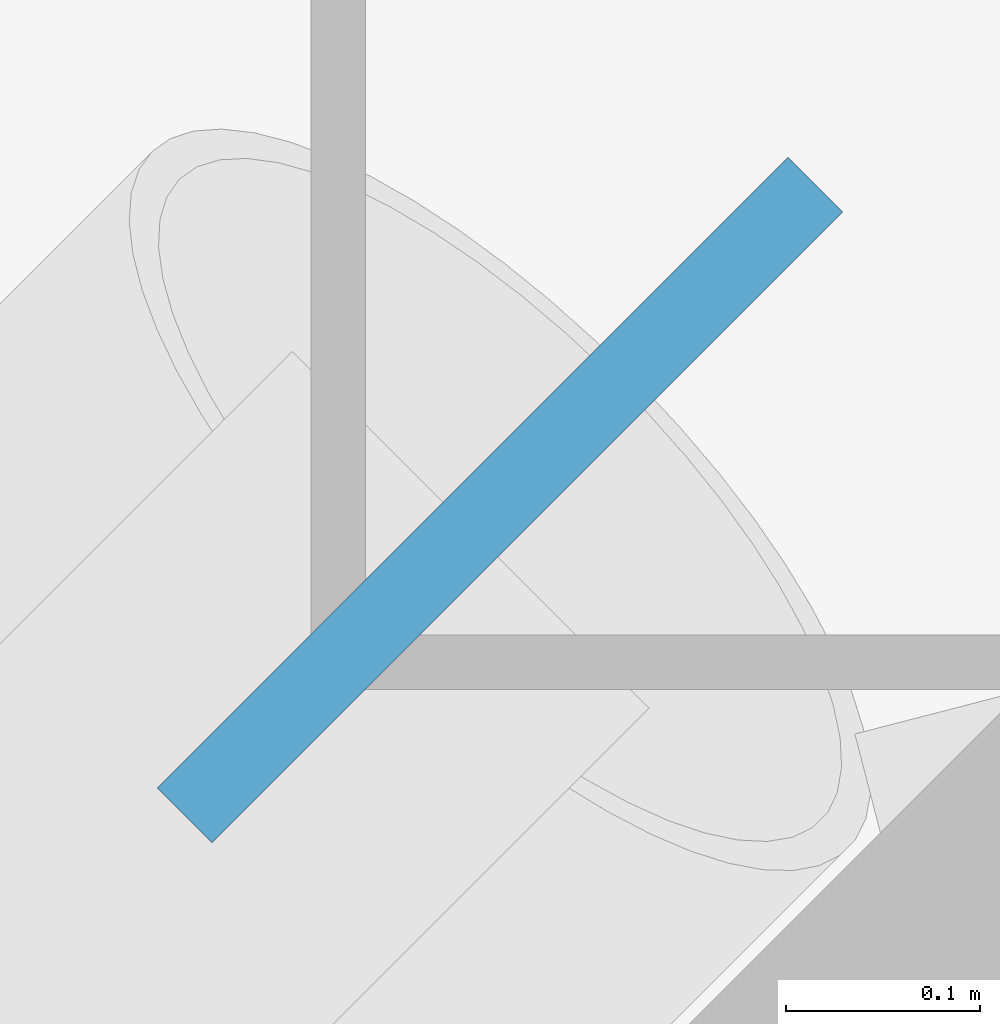
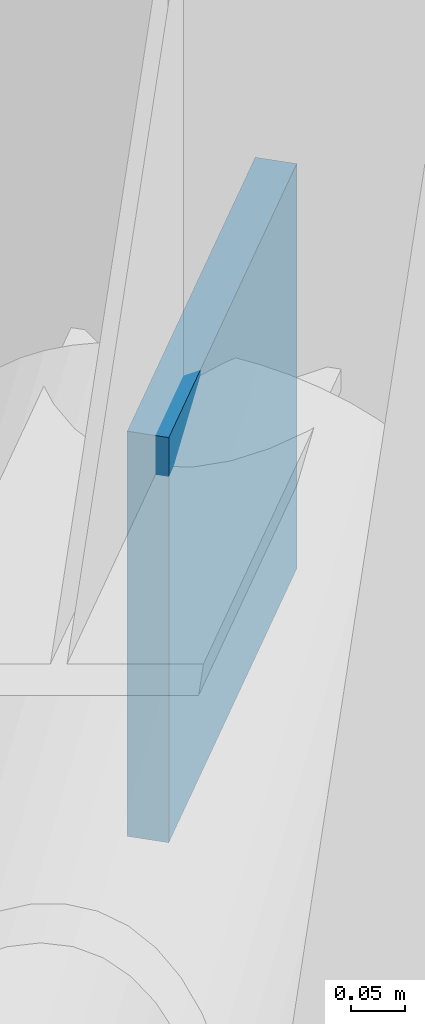
# One storey, part 14 of 16: 1 discrete accessory.
"""IFC4 building model written with IfcOpenShell, lengths in metres."""

from ifc_helpers import new_model, si_unit, direction, frame, origin, origin_2d, place, context, subcontext, project, spatial, rectangle, extrude, material, type_object, element, save


model = new_model("IFC4")

# Units and contexts
model_context = context("Model", 3, precision=1e-05, world=origin(), true_north=direction((0.0, 1.0)))
body_context = subcontext(model_context, "Body", "Model", "MODEL_VIEW")
ifc_project = project(units=[si_unit("LENGTHUNIT", "METRE"), si_unit("AREAUNIT", "SQUARE_METRE"), si_unit("VOLUMEUNIT", "CUBIC_METRE"), si_unit("PLANEANGLEUNIT", "RADIAN"), si_unit("MASSUNIT", "GRAM", prefix="KILO")], contexts=[model_context])

# Site, building, storey
site_placement = place(None, origin())
site = spatial("IfcSite", under=ifc_project, at=site_placement, CompositionType="ELEMENT")
building_placement = place(site_placement, origin())
building = spatial("IfcBuilding", under=site, at=building_placement, Name="Tavrogorsk Clinical Tower", CompositionType="ELEMENT")
storey_placement = place(building_placement, frame((0.0, 0.0, 164.199951171875)))
storey = spatial("IfcBuildingStorey", under=building, at=storey_placement, Name="L37", CompositionType="ELEMENT", Elevation=164.199951171875)

# Discrete accessory
ifc_material = material(Name="Structural steel S440", Category="steel")
discrete_accessory_type = type_object("IfcDiscreteAccessoryType", Name="GussetPlateBracket_25", PredefinedType="BRACKET", material=ifc_material)
discrete_accessory_placement = place(storey_placement, frame((-28.12255859375, 26.217529296875, 2.7470703125), z_axis=(0.0, 0.0, 1.0), x_axis=(0.707106781187, 0.707106781187, 0.0)))
element("IfcDiscreteAccessory", 1, at=discrete_accessory_placement, inside=storey, type_object=discrete_accessory_type, Name="L37 Brace Gusset Plate EXOCRN-L37-3-B", PredefinedType="BRACKET", context=body_context, shape_type="SweptSolid", body=[
    extrude(rectangle(XDim=0.4599609375, YDim=0.0400390625, at=origin_2d()), origin(), (0.0, 0.0, 1.0), 0.4599609375),
])

save(model, "model.ifc")
